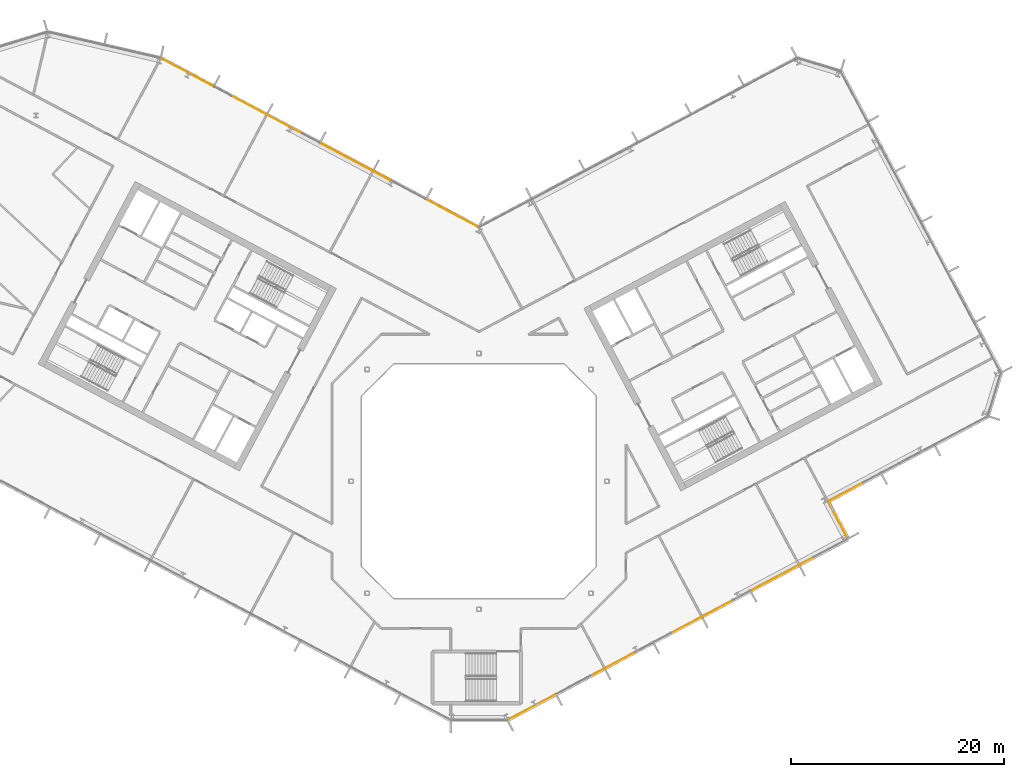
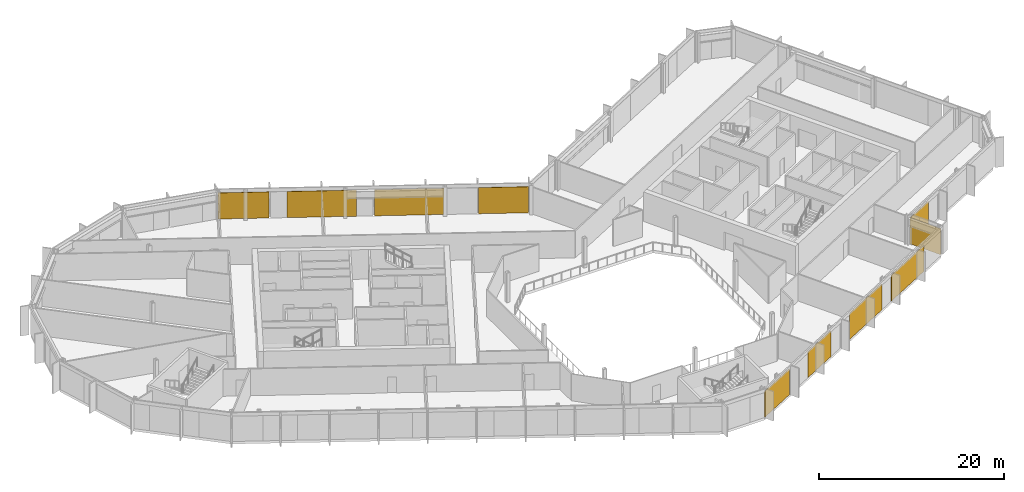
# One storey, part 23 of 26: 10 coverings, 4 elements without a shape of their own.
"""IFC4 building model written with IfcOpenShell, lengths in metres."""

from ifc_helpers import new_model, si_unit, direction, frame, origin, origin_2d, place, context, subcontext, project, spatial, rectangle, extrude, material, layer, layer_set, type_object, element, aggregate, save


model = new_model("IFC4")

# Units and contexts
model_context = context("Model", 3, precision=1e-05, world=origin(), true_north=direction((0.0, 1.0)))
body_context = subcontext(model_context, "Body", "Model", "MODEL_VIEW")
ifc_project = project(units=[si_unit("LENGTHUNIT", "METRE"), si_unit("AREAUNIT", "SQUARE_METRE"), si_unit("VOLUMEUNIT", "CUBIC_METRE"), si_unit("PLANEANGLEUNIT", "RADIAN"), si_unit("MASSUNIT", "GRAM", prefix="KILO")], contexts=[model_context])

# Site, building, storey
site_placement = place(None, origin())
site = spatial("IfcSite", under=ifc_project, at=site_placement, CompositionType="ELEMENT")
building_placement = place(site_placement, origin())
building = spatial("IfcBuilding", under=site, at=building_placement, Name="Cormorant Relay Tower", CompositionType="ELEMENT")
storey_placement = place(building_placement, frame((0.0, 0.0, 205.199951171875)))
storey = spatial("IfcBuildingStorey", under=building, at=storey_placement, Name="L44", CompositionType="ELEMENT", Elevation=205.199951171875)

# Curtain wall, coverings
ifc_material_1 = material(Name="Aluminium 6063-T6 anodised bronze", Category="aluminium")
ifc_layer_1 = layer(ifc_material_1, 0.199951171875)
ifc_layer_set_1 = layer_set([ifc_layer_1], Name="CW1 unitised bronze curtain wall with vertical fins")
curtain_wall_type = type_object("IfcCurtainWallType", Name="CW1 unitised bronze curtain wall with vertical fins", PredefinedType="NOTDEFINED", material=ifc_layer_set_1)
curtain_wall_1_placement = place(storey_placement, origin())
curtain_wall_1 = element("IfcCurtainWall", 1, at=curtain_wall_1_placement, inside=storey, type_object=curtain_wall_type, Name="CW1 curtain wall 2", PredefinedType="NOTDEFINED")
ifc_material_2 = material(Name="Pale bronze anodised aluminium insulated panel", Category="aluminium")
ifc_layer_2 = layer(ifc_material_2, 0.0400390625)
ifc_layer_set_2 = layer_set([ifc_layer_2], Name="CW1 pale bronze insulated panel 40")
covering_type = type_object("IfcCoveringType", Name="CW1 pale bronze insulated panel 40", PredefinedType="CLADDING", material=ifc_layer_set_2)
covering_1_placement = place(storey_placement, frame((4.939208984375, -21.180419921875, 0.0), z_axis=(0.0, 0.0, 1.0), x_axis=(0.882947592859, 0.469471562786, 0.0)))
covering_1 = element("IfcCovering", 2, at=covering_1_placement, type_object=covering_type, Name="CW1 panel S00", PredefinedType="CLADDING", context=body_context, shape_type="SweptSolid", body=[
    extrude(rectangle(XDim=5.0166015625, YDim=0.0400390625, at=origin_2d()), origin(), (0.0, 0.0, 1.0), 3.449951171875),
])
covering_2_placement = place(storey_placement, frame((12.576416015625, -17.11962890625, 0.0), z_axis=(0.0, 0.0, 1.0), x_axis=(0.882947592859, 0.469471562786, 0.0)))
covering_2 = element("IfcCovering", 3, at=covering_2_placement, type_object=covering_type, Name="CW1 panel S02", PredefinedType="CLADDING", context=body_context, shape_type="SweptSolid", body=[
    extrude(rectangle(XDim=4.783203125, YDim=0.0400390625, at=origin_2d()), origin(), (0.0, 0.0, 1.0), 3.449951171875),
])
covering_3_placement = place(storey_placement, frame((20.905517578125, -12.69091796875, 0.0), z_axis=(0.0, 0.0, 1.0), x_axis=(0.882947592859, 0.469471562786, 0.0)))
covering_3 = element("IfcCovering", 4, at=covering_3_placement, type_object=covering_type, Name="CW1 panel S05", PredefinedType="CLADDING", context=body_context, shape_type="SweptSolid", body=[
    extrude(rectangle(XDim=6.5830078125, YDim=0.0400390625, at=origin_2d()), origin(), (0.0, 0.0, 1.0), 3.449951171875),
])
covering_4_placement = place(storey_placement, frame((28.472900390625, -8.667236328125, 0.0), z_axis=(0.0, 0.0, 1.0), x_axis=(0.882947592859, 0.469471562786, 0.0)))
covering_4 = element("IfcCovering", 5, at=covering_4_placement, type_object=covering_type, Name="CW1 panel S07", PredefinedType="CLADDING", context=body_context, shape_type="SweptSolid", body=[
    extrude(rectangle(XDim=6.658203125, YDim=0.0400390625, at=origin_2d()), origin(), (0.0, 0.0, 1.0), 3.449951171875),
])
aggregate(curtain_wall_1, [covering_1, covering_2, covering_3, covering_4])

# Curtain wall, covering
curtain_wall_2_placement = place(storey_placement, origin())
curtain_wall_2 = element("IfcCurtainWall", 6, at=curtain_wall_2_placement, inside=storey, type_object=curtain_wall_type, Name="CW1 curtain wall 3", PredefinedType="NOTDEFINED")
covering_5_placement = place(storey_placement, frame((33.642578125, -3.58837890625, 0.0), z_axis=(0.0, 0.0, 1.0), x_axis=(-0.469471562786, 0.882947592859, 0.0)))
covering_5 = element("IfcCovering", 7, at=covering_5_placement, type_object=covering_type, Name="CW1 panel S00", PredefinedType="CLADDING", context=body_context, shape_type="SweptSolid", body=[
    extrude(rectangle(XDim=3.925048828125, YDim=0.0400390625, at=origin_2d()), origin(), (0.0, 0.0, 1.0), 3.449951171875),
])
aggregate(curtain_wall_2, [covering_5])

curtain_wall_3_placement = place(storey_placement, origin())
curtain_wall_3 = element("IfcCurtainWall", 8, at=curtain_wall_3_placement, inside=storey, type_object=curtain_wall_type, Name="CW1 curtain wall 4", PredefinedType="NOTDEFINED")
covering_6_placement = place(storey_placement, frame((34.453125, -0.957275390625, 0.0), z_axis=(0.0, 0.0, 1.0), x_axis=(0.882947592859, 0.469471562786, 0.0)))
covering_6 = element("IfcCovering", 9, at=covering_6_placement, type_object=covering_type, Name="CW1 panel S00", PredefinedType="CLADDING", context=body_context, shape_type="SweptSolid", body=[
    extrude(rectangle(XDim=3.6416015625, YDim=0.0400390625, at=origin_2d()), origin(), (0.0, 0.0, 1.0), 3.449951171875),
])
aggregate(curtain_wall_3, [covering_6])

# Curtain wall, coverings
curtain_wall_4_placement = place(storey_placement, origin())
curtain_wall_4 = element("IfcCurtainWall", 10, at=curtain_wall_4_placement, inside=storey, type_object=curtain_wall_type, Name="CW1 curtain wall 9", PredefinedType="NOTDEFINED")
covering_7_placement = place(storey_placement, frame((-2.51318359375, 25.142822265625, 0.0), z_axis=(0.0, 0.0, 1.0), x_axis=(-0.882947592859, 0.469471562786, 0.0)))
covering_7 = element("IfcCovering", 11, at=covering_7_placement, type_object=covering_type, Name="CW1 panel S00", PredefinedType="CLADDING", context=body_context, shape_type="SweptSolid", body=[
    extrude(rectangle(XDim=5.4140625, YDim=0.0400390625, at=origin_2d()), origin(), (0.0, 0.0, 1.0), 3.449951171875),
])
covering_8_placement = place(storey_placement, frame((-11.537841796875, 29.94140625, 0.0), z_axis=(0.0, 0.0, 1.0), x_axis=(-0.882947592859, 0.469471562786, 0.0)))
covering_8 = element("IfcCovering", 12, at=covering_8_placement, type_object=covering_type, Name="CW1 panel S02", PredefinedType="CLADDING", context=body_context, shape_type="SweptSolid", body=[
    extrude(rectangle(XDim=7.528076171875, YDim=0.0400390625, at=origin_2d()), origin(), (0.0, 0.0, 1.0), 3.449951171875),
])
covering_9_placement = place(storey_placement, frame((-19.906494140625, 34.39111328125, 0.0), z_axis=(0.0, 0.0, 1.0), x_axis=(-0.882947592859, 0.469471562786, 0.0)))
covering_9 = element("IfcCovering", 13, at=covering_9_placement, type_object=covering_type, Name="CW1 panel S04", PredefinedType="CLADDING", context=body_context, shape_type="SweptSolid", body=[
    extrude(rectangle(XDim=7.528076171875, YDim=0.0400390625, at=origin_2d()), origin(), (0.0, 0.0, 1.0), 3.449951171875),
])
covering_10_placement = place(storey_placement, frame((-27.407958984375, 38.379638671875, 0.0), z_axis=(0.0, 0.0, 1.0), x_axis=(-0.882947592859, 0.469471562786, 0.0)))
covering_10 = element("IfcCovering", 14, at=covering_10_placement, type_object=covering_type, Name="CW1 panel S06", PredefinedType="CLADDING", context=body_context, shape_type="SweptSolid", body=[
    extrude(rectangle(XDim=5.56396484375, YDim=0.0400390625, at=origin_2d()), origin(), (0.0, 0.0, 1.0), 3.449951171875),
])
aggregate(curtain_wall_4, [covering_7, covering_8, covering_9, covering_10])

save(model, "model.ifc")
